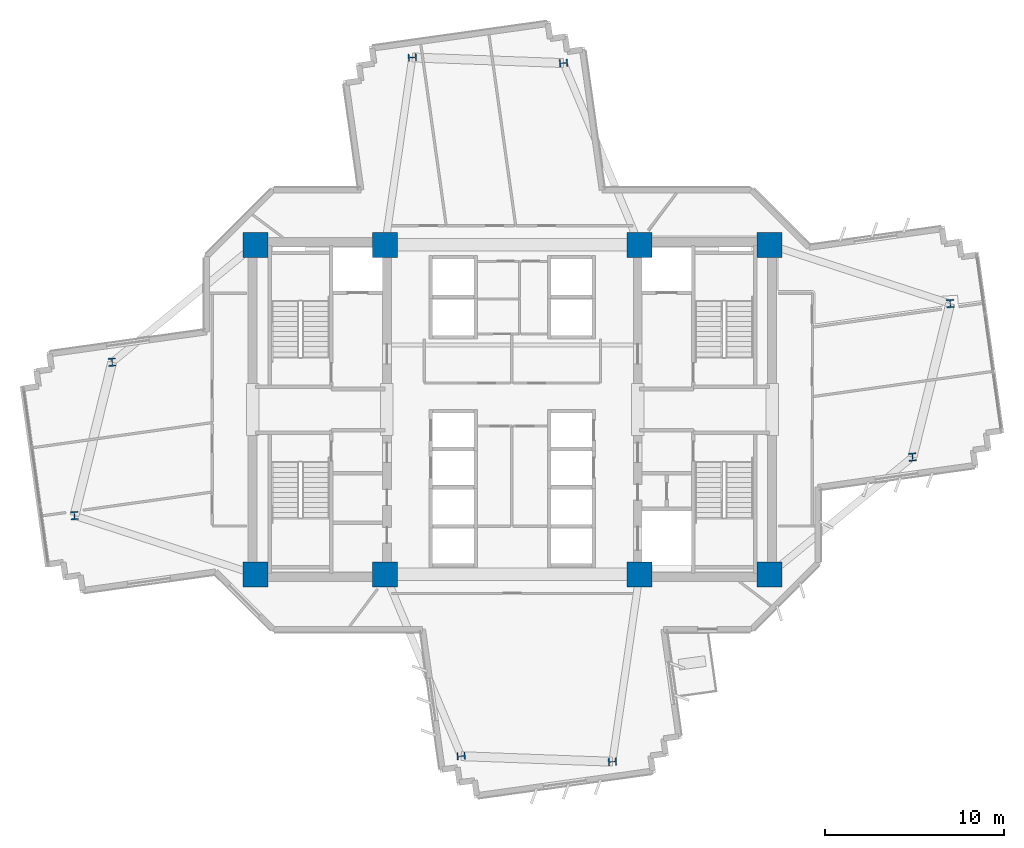
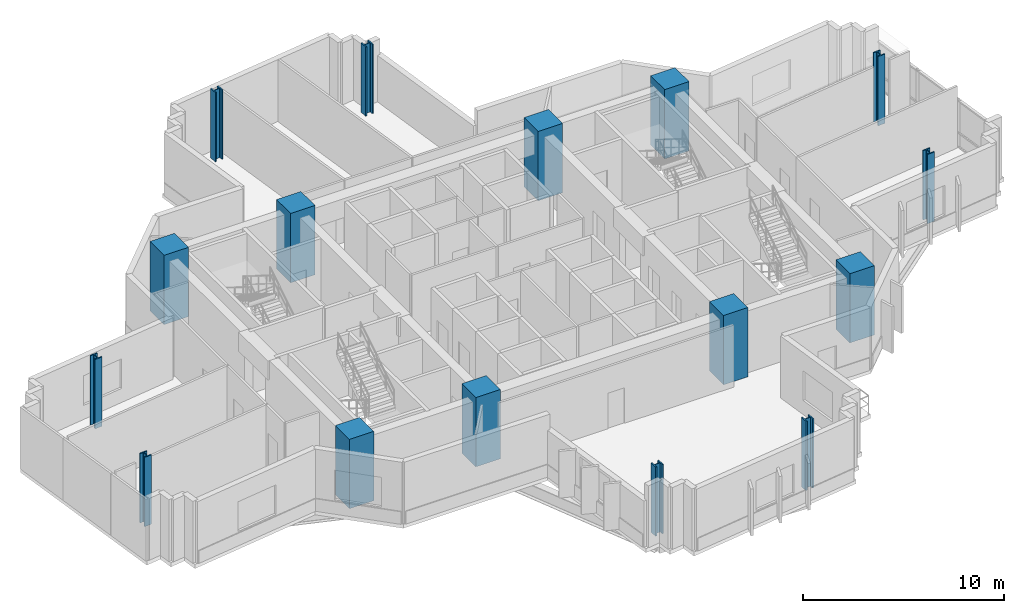
# One storey, part 1 of 14: 16 columns.
"""IFC4 building model written with IfcOpenShell, lengths in metres."""

from ifc_helpers import new_model, si_unit, direction, frame, origin, origin_2d, place, context, subcontext, project, spatial, rectangle, i_section, extrude, source, transform, mapped, material, material_profile, profile_set, type_object, element, save


model = new_model("IFC4")

# Units and contexts
model_context = context("Model", 3, precision=1e-05, world=origin(), true_north=direction((0.0, 1.0)))
body_context = subcontext(model_context, "Body", "Model", "MODEL_VIEW")
ifc_project = project(units=[si_unit("LENGTHUNIT", "METRE"), si_unit("AREAUNIT", "SQUARE_METRE"), si_unit("VOLUMEUNIT", "CUBIC_METRE"), si_unit("PLANEANGLEUNIT", "RADIAN"), si_unit("MASSUNIT", "GRAM", prefix="KILO")], contexts=[model_context])

# Site, building, storey
site_placement = place(None, origin())
site = spatial("IfcSite", under=ifc_project, at=site_placement, CompositionType="ELEMENT")
building_placement = place(site_placement, origin())
building = spatial("IfcBuilding", under=site, at=building_placement, Name="Zahravan Cultural Tower", CompositionType="ELEMENT")
storey_placement = place(building_placement, frame((0.0, 0.0, 121.5)))
storey = spatial("IfcBuildingStorey", under=building, at=storey_placement, Name="L27", CompositionType="ELEMENT", Elevation=121.5)

# Columns
ifc_material_1 = material(Name="Concrete C60/75", Category="concrete")
ifc_material_profile_1 = material_profile(ifc_material_1, rectangle(XDim=1.39990234375, YDim=1.39990234375, at=origin_2d()), Name="RC1400X1400")
ifc_profile_set_1 = profile_set([ifc_material_profile_1], Name="Concrete C60/75")
column_type_1 = type_object("IfcColumnType", Name="COL-RC1400", PredefinedType="COLUMN", material=ifc_profile_set_1)
shared_shape_1 = source(origin(), body_context, "Body", "SweptSolid", [
    extrude(rectangle(XDim=1.39990234375, YDim=1.39990234375, at=origin_2d()), origin(), (0.0, 0.0, 1.0), 4.199951171875),
])
for number, where, z_axis, x_axis, name in (
    (1, (21.64990234375, 17.800048828125, 0.0), (0.0, 0.0, 1.0), (1.0, 0.0, 0.0), "L27 Column CC-W1"),
    (2, (28.89990234375, 17.800048828125, 0.0), (0.0, 0.0, 1.0), (1.0, 0.0, 0.0), "L27 Column CC-W2"),
    (3, (21.64990234375, 36.199951171875, 0.0), (0.0, 0.0, 1.0), (1.0, 0.0, 0.0), "L27 Column CC-W3"),
    (4, (28.89990234375, 36.199951171875, 0.0), (0.0, 0.0, 1.0), (1.0, 0.0, 0.0), "L27 Column CC-W4"),
    (5, (43.10009765625, 17.800048828125, 0.0), (0.0, 0.0, 1.0), (1.0, 0.0, 0.0), "L27 Column CC-E1"),
    (6, (50.35009765625, 17.800048828125, 0.0), (0.0, 0.0, 1.0), (1.0, 0.0, 0.0), "L27 Column CC-E2"),
    (7, (43.10009765625, 36.199951171875, 0.0), (0.0, 0.0, 1.0), (1.0, 0.0, 0.0), "L27 Column CC-E3"),
    (8, (50.35009765625, 36.199951171875, 0.0), (0.0, 0.0, 1.0), (1.0, 0.0, 0.0), "L27 Column CC-E4"),
):
    element("IfcColumn", number, at=place(storey_placement, frame(where, z_axis=z_axis, x_axis=x_axis)), inside=storey, type_object=column_type_1, Name=name, PredefinedType="COLUMN", context=body_context, shape_type="MappedRepresentation", body=[
        mapped(shared_shape_1, transform((0.0, 0.0, 0.0), x_axis=(1.0, 0.0, 0.0), y_axis=(0.0, 1.0, 0.0), z_axis=(0.0, 0.0, 1.0), scale=1.0)),
    ])
ifc_material_2 = material(Name="Steel ASTM A992 Grade 50", Category="steel")
ifc_material_profile_2 = material_profile(ifc_material_2, i_section(OverallWidth=0.4208984375, OverallDepth=0.465087890625, WebThickness=0.044921875, FlangeThickness=0.072509765625, FilletRadius=0.01806640625, at=origin_2d()), Name="W14X398")
ifc_profile_set_2 = profile_set([ifc_material_profile_2], Name="Steel ASTM A992 Grade 50")
column_type_2 = type_object("IfcColumnType", Name="COL-W14X398", PredefinedType="COLUMN", material=ifc_profile_set_2)
shared_shape_2 = source(origin(), body_context, "Body", "SweptSolid", [
    extrude(i_section(OverallWidth=0.4208984375, OverallDepth=0.465087890625, WebThickness=0.044921875, FlangeThickness=0.072509765625, FilletRadius=0.01806640625, at=origin_2d()), origin(), (0.0, 0.0, 1.0), 4.199951171875),
])
for number, where, z_axis, x_axis, name in (
    (9, (58.339111328125, 24.351806640625, 0.0), (0.0, 0.0, 1.0), (0.99756405026, 0.069756473744, 0.0), "L27 Column Z1C-E1"),
    (10, (60.446533203125, 32.919677734375, 0.0), (0.0, 0.0, 1.0), (0.99756405026, 0.069756473744, 0.0), "L27 Column Z1C-E2"),
    (11, (38.857421875, 46.346435546875, 0.0), (0.0, 0.0, 1.0), (-0.069756473744, 0.99756405026, 0.0), "L27 Column Z1C-N1"),
    (12, (30.4150390625, 46.658203125, 0.0), (0.0, 0.0, 1.0), (-0.069756473744, 0.99756405026, 0.0), "L27 Column Z1C-N2"),
    (13, (13.660888671875, 29.648193359375, 0.0), (0.0, 0.0, 1.0), (0.99756405026, 0.069756473744, 0.0), "L27 Column Z1C-W1"),
    (14, (11.553466796875, 21.080322265625, 0.0), (0.0, 0.0, 1.0), (0.99756405026, 0.069756473744, 0.0), "L27 Column Z1C-W2"),
    (15, (33.142578125, 7.653564453125, 0.0), (0.0, 0.0, 1.0), (-0.069756473744, 0.99756405026, 0.0), "L27 Column Z1C-S1"),
    (16, (41.5849609375, 7.341796875, 0.0), (0.0, 0.0, 1.0), (-0.069756473744, 0.99756405026, 0.0), "L27 Column Z1C-S2"),
):
    element("IfcColumn", number, at=place(storey_placement, frame(where, z_axis=z_axis, x_axis=x_axis)), inside=storey, type_object=column_type_2, Name=name, PredefinedType="COLUMN", context=body_context, shape_type="MappedRepresentation", body=[
        mapped(shared_shape_2, transform((0.0, 0.0, 0.0), x_axis=(1.0, 0.0, 0.0), y_axis=(0.0, 1.0, 0.0), z_axis=(0.0, 0.0, 1.0), scale=1.0)),
    ])

save(model, "model.ifc")
